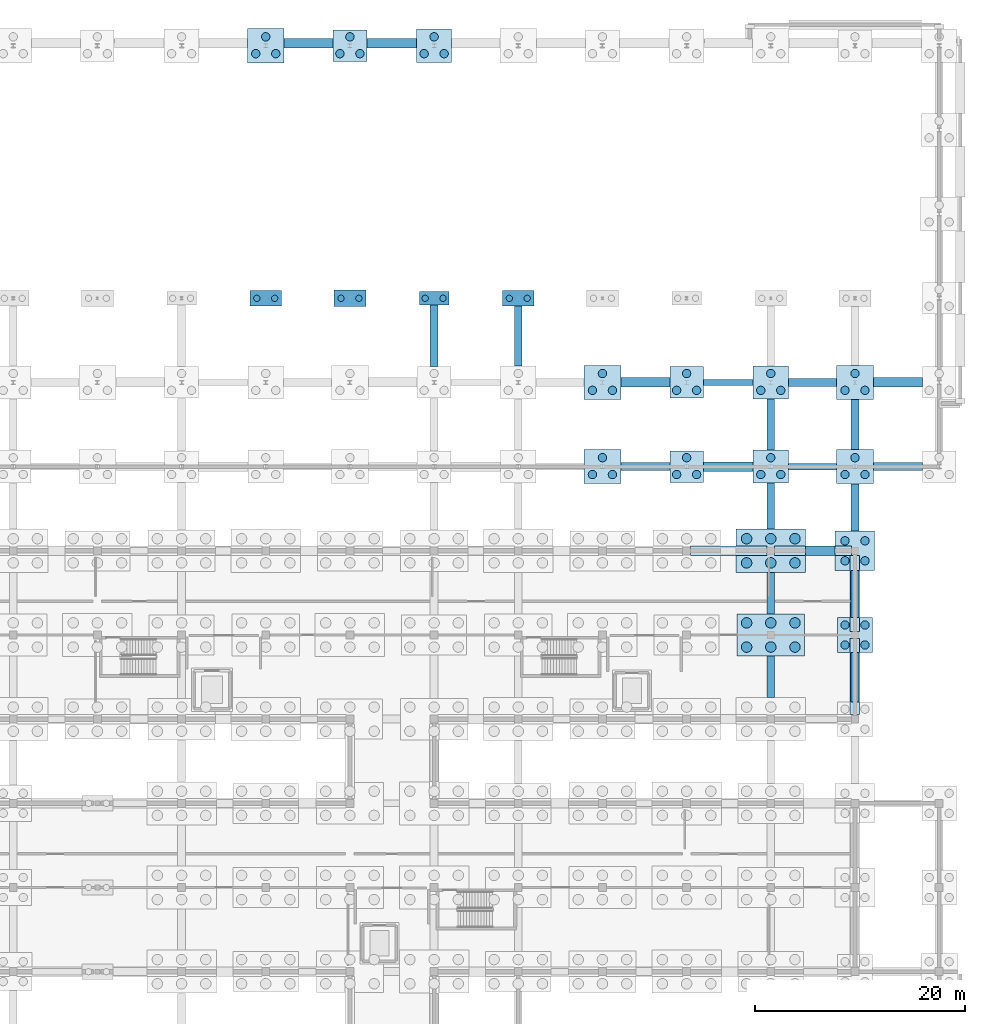
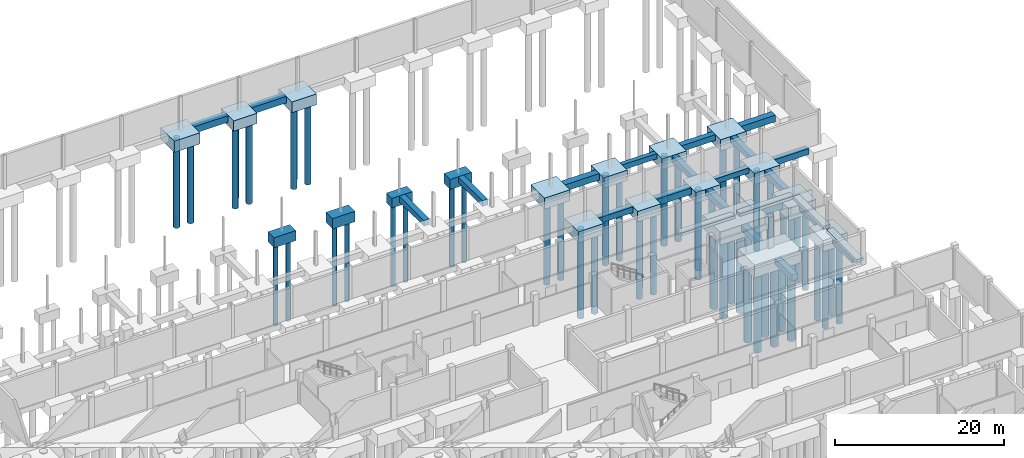
# One storey, part 16 of 51: 61 piles, 44 footings.
"""IFC4 building model written with IfcOpenShell, lengths in metres."""

from ifc_helpers import new_model, si_unit, direction, frame, origin, origin_2d, place, context, subcontext, project, spatial, rectangle, circle, extrude, material, material_profile, profile_set, type_object, element, save


model = new_model("IFC4")

# Units and contexts
model_context = context("Model", 3, precision=1e-05, world=origin(), true_north=direction((0.0, 1.0)))
body_context = subcontext(model_context, "Body", "Model", "MODEL_VIEW")
ifc_project = project(units=[si_unit("LENGTHUNIT", "METRE"), si_unit("AREAUNIT", "SQUARE_METRE"), si_unit("VOLUMEUNIT", "CUBIC_METRE"), si_unit("PLANEANGLEUNIT", "RADIAN"), si_unit("MASSUNIT", "GRAM", prefix="KILO")], contexts=[model_context])

# Site, building, storey
site_placement = place(None, origin())
site = spatial("IfcSite", under=ifc_project, at=site_placement, CompositionType="ELEMENT")
building_placement = place(site_placement, origin())
building = spatial("IfcBuilding", under=site, at=building_placement, Name="Jelvoka-Kovrelna Polytechnic", CompositionType="ELEMENT")
storey_placement = place(building_placement, frame((0.0, 0.0, -4.5)))
storey = spatial("IfcBuildingStorey", under=building, at=storey_placement, Name="B01", CompositionType="ELEMENT", Elevation=-4.5)

# Footings
ifc_material_1 = material(Name="Concrete C35/45", Category="concrete")
footing_type_1 = type_object("IfcFootingType", Name="Footing_PileCap_PC2A", PredefinedType="PILE_CAP", material=ifc_material_1)
footing_1_placement = place(storey_placement, frame((152.0, 96.0, -1.804931640625), z_axis=(0.0, 0.0, 1.0), x_axis=(1.0, 0.0, 0.0)))
element("IfcFooting", 1, at=footing_1_placement, inside=storey, type_object=footing_type_1, Name="Bored pile cap 258 (PC-2)", PredefinedType="PILE_CAP", context=body_context, shape_type="SweptSolid", body=[
    extrude(rectangle(XDim=2.800048828125, YDim=1.300048828125, at=origin_2d()), origin(), (0.0, 0.0, 1.0), 1.39990234375),
])
ifc_material_2 = material(Name="Concrete C35/45", Category="concrete")
footing_type_2 = type_object("IfcFootingType", Name="Footing_PileCap_PC2B", PredefinedType="PILE_CAP", material=ifc_material_2)
for number, where, z_axis, x_axis, name in (
    (2, (136.0, 96.0, -1.85498046875), (0.0, 0.0, 1.0), (1.0, 0.0, 0.0), "Bored pile cap 256 (PC-2)"),
    (3, (160.0, 96.0, -1.85498046875), (0.0, 0.0, 1.0), (1.0, 0.0, 0.0), "Bored pile cap 259 (PC-2)"),
):
    element("IfcFooting", number, at=place(storey_placement, frame(where, z_axis=z_axis, x_axis=x_axis)), inside=storey, type_object=footing_type_2, Name=name, PredefinedType="PILE_CAP", context=body_context, shape_type="SweptSolid", body=[
        extrude(rectangle(XDim=2.949951171875, YDim=1.449951171875, at=origin_2d()), origin(), (0.0, 0.0, 1.0), 1.449951171875),
    ])
ifc_material_3 = material(Name="Concrete C35/45", Category="concrete")
footing_type_3 = type_object("IfcFootingType", Name="Footing_PileCap_PC2C", PredefinedType="PILE_CAP", material=ifc_material_3)
footing_2_placement = place(storey_placement, frame((144.0, 96.0, -1.905029296875), z_axis=(0.0, 0.0, 1.0), x_axis=(1.0, 0.0, 0.0)))
element("IfcFooting", 4, at=footing_2_placement, inside=storey, type_object=footing_type_3, Name="Bored pile cap 257 (PC-2)", PredefinedType="PILE_CAP", context=body_context, shape_type="SweptSolid", body=[
    extrude(rectangle(XDim=3.050048828125, YDim=1.550048828125, at=origin_2d()), origin(), (0.0, 0.0, 1.0), 1.5),
])
ifc_material_4 = material(Name="Concrete C35/45", Category="concrete")
footing_type_4 = type_object("IfcFootingType", Name="Footing_PileCap_PC3A", PredefinedType="PILE_CAP", material=ifc_material_4)
for number, where, z_axis, x_axis, name in (
    (5, (176.0, 80.0, -1.905029296875), (0.0, 0.0, 1.0), (1.0, 0.0, 0.0), "Bored pile cap 231 (PC-3)"),
    (6, (176.0, 88.0, -1.905029296875), (0.0, 0.0, 1.0), (1.0, 0.0, 0.0), "Bored pile cap 246 (PC-3)"),
    (7, (144.0, 120.0, -1.905029296875), (0.0, 0.0, 1.0), (1.0, 0.0, 0.0), "Bored pile cap 276 (PC-3)"),
):
    element("IfcFooting", number, at=place(storey_placement, frame(where, z_axis=z_axis, x_axis=x_axis)), inside=storey, type_object=footing_type_4, Name=name, PredefinedType="PILE_CAP", context=body_context, shape_type="SweptSolid", body=[
        extrude(rectangle(XDim=3.199951171875, YDim=3.0, at=origin_2d()), origin(), (0.0, 0.0, 1.0), 1.5),
    ])
ifc_material_5 = material(Name="Concrete C35/45", Category="concrete")
footing_type_5 = type_object("IfcFootingType", Name="Footing_PileCap_PC3B", PredefinedType="PILE_CAP", material=ifc_material_5)
for number, where, z_axis, x_axis, name in (
    (8, (184.0, 80.0, -1.955078125), (0.0, 0.0, 1.0), (1.0, 0.0, 0.0), "Bored pile cap 232 (PC-3)"),
    (9, (184.0, 88.0, -1.955078125), (0.0, 0.0, 1.0), (1.0, 0.0, 0.0), "Bored pile cap 247 (PC-3)"),
    (10, (152.0, 120.0, -1.955078125), (0.0, 0.0, 1.0), (1.0, 0.0, 0.0), "Bored pile cap 277 (PC-3)"),
):
    element("IfcFooting", number, at=place(storey_placement, frame(where, z_axis=z_axis, x_axis=x_axis)), inside=storey, type_object=footing_type_5, Name=name, PredefinedType="PILE_CAP", context=body_context, shape_type="SweptSolid", body=[
        extrude(rectangle(XDim=3.35009765625, YDim=3.14990234375, at=origin_2d()), origin(), (0.0, 0.0, 1.0), 1.550048828125),
    ])
ifc_material_6 = material(Name="Concrete C35/45", Category="concrete")
footing_type_6 = type_object("IfcFootingType", Name="Footing_PileCap_PC3C", PredefinedType="PILE_CAP", material=ifc_material_6)
for number, where, z_axis, x_axis, name in (
    (11, (168.0, 80.0, -2.005126953125), (0.0, 0.0, 1.0), (1.0, 0.0, 0.0), "Bored pile cap 230 (PC-3)"),
    (12, (192.0, 80.0, -2.005126953125), (0.0, 0.0, 1.0), (1.0, 0.0, 0.0), "Bored pile cap 233 (PC-3)"),
    (13, (168.0, 88.0, -2.005126953125), (0.0, 0.0, 1.0), (1.0, 0.0, 0.0), "Bored pile cap 245 (PC-3)"),
    (14, (192.0, 88.0, -2.005126953125), (0.0, 0.0, 1.0), (1.0, 0.0, 0.0), "Bored pile cap 248 (PC-3)"),
    (15, (136.0, 120.0, -2.005126953125), (0.0, 0.0, 1.0), (1.0, 0.0, 0.0), "Bored pile cap 275 (PC-3)"),
):
    element("IfcFooting", number, at=place(storey_placement, frame(where, z_axis=z_axis, x_axis=x_axis)), inside=storey, type_object=footing_type_6, Name=name, PredefinedType="PILE_CAP", context=body_context, shape_type="SweptSolid", body=[
        extrude(rectangle(XDim=3.5, YDim=3.25, at=origin_2d()), origin(), (0.0, 0.0, 1.0), 1.60009765625),
    ])
ifc_material_7 = material(Name="Concrete C35/45", Category="concrete")
footing_type_7 = type_object("IfcFootingType", Name="Footing_PileCap_PC4A", PredefinedType="PILE_CAP", material=ifc_material_7)
footing_3_placement = place(storey_placement, frame((192.0, 64.0, -2.005126953125), z_axis=(0.0, 0.0, 1.0), x_axis=(1.0, 0.0, 0.0)))
element("IfcFooting", 16, at=footing_3_placement, inside=storey, type_object=footing_type_7, Name="Bored pile cap 200 (PC-4)", PredefinedType="PILE_CAP", context=body_context, shape_type="SweptSolid", body=[
    extrude(rectangle(XDim=3.300048828125, YDim=3.300048828125, at=origin_2d()), origin(), (0.0, 0.0, 1.0), 1.60009765625),
])
ifc_material_8 = material(Name="Concrete C35/45", Category="concrete")
footing_type_8 = type_object("IfcFootingType", Name="Footing_PileCap_PC4D", PredefinedType="PILE_CAP", material=ifc_material_8)
footing_4_placement = place(storey_placement, frame((192.0, 72.0, -2.155029296875), z_axis=(0.0, 0.0, 1.0), x_axis=(1.0, 0.0, 0.0)))
element("IfcFooting", 17, at=footing_4_placement, inside=storey, type_object=footing_type_8, Name="Bored pile cap 219 (PC-4)", PredefinedType="PILE_CAP", context=body_context, shape_type="SweptSolid", body=[
    extrude(rectangle(XDim=3.75, YDim=3.75, at=origin_2d()), origin(), (0.0, 0.0, 1.0), 1.75),
])
ifc_material_9 = material(Name="Concrete C35/45", Category="concrete")
footing_type_9 = type_object("IfcFootingType", Name="Footing_PileCap_PC6B", PredefinedType="PILE_CAP", material=ifc_material_9)
footing_5_placement = place(storey_placement, frame((184.0, 64.0, -2.255126953125), z_axis=(0.0, 0.0, 1.0), x_axis=(1.0, 0.0, 0.0)))
element("IfcFooting", 18, at=footing_5_placement, inside=storey, type_object=footing_type_9, Name="Bored pile cap 199 (PC-6)", PredefinedType="PILE_CAP", context=body_context, shape_type="SweptSolid", body=[
    extrude(rectangle(XDim=6.39990234375, YDim=3.949951171875, at=origin_2d()), origin(), (0.0, 0.0, 1.0), 1.85009765625),
])
ifc_material_10 = material(Name="Concrete C35/45", Category="concrete")
footing_type_10 = type_object("IfcFootingType", Name="Footing_PileCap_PC6C", PredefinedType="PILE_CAP", material=ifc_material_10)
footing_6_placement = place(storey_placement, frame((184.0, 72.0, -2.304931640625), z_axis=(0.0, 0.0, 1.0), x_axis=(1.0, 0.0, 0.0)))
element("IfcFooting", 19, at=footing_6_placement, inside=storey, type_object=footing_type_10, Name="Bored pile cap 218 (PC-6)", PredefinedType="PILE_CAP", context=body_context, shape_type="SweptSolid", body=[
    extrude(rectangle(XDim=6.60009765625, YDim=4.10009765625, at=origin_2d()), origin(), (0.0, 0.0, 1.0), 1.89990234375),
])
ifc_material_11 = material(Name="Concrete C35/45", Category="concrete")
footing_type_11 = type_object("IfcFootingType", Name="Footing_Strip_SF1", PredefinedType="STRIP_FOOTING", material=ifc_material_11)
footing_7_placement = place(storey_placement, frame((179.96240234375, 88.0, -1.155029296875), z_axis=(0.0, 0.0, 1.0), x_axis=(1.0, 0.0, 0.0)))
element("IfcFooting", 20, at=footing_7_placement, inside=storey, type_object=footing_type_11, Name="Strip foundation tie beam 249", PredefinedType="STRIP_FOOTING", context=body_context, shape_type="SweptSolid", body=[
    extrude(rectangle(XDim=4.720947265625, YDim=0.60009765625, at=origin_2d()), origin(), (0.0, 0.0, 1.0), 0.75),
])
footing_8_placement = place(storey_placement, frame((187.96240234375, 80.0, -1.155029296875), z_axis=(0.0, 0.0, 1.0), x_axis=(1.0, 0.0, 0.0)))
element("IfcFooting", 21, at=footing_8_placement, inside=storey, type_object=footing_type_11, Name="Strip foundation tie beam 267", PredefinedType="STRIP_FOOTING", context=body_context, shape_type="SweptSolid", body=[
    extrude(rectangle(XDim=4.571044921875, YDim=0.60009765625, at=origin_2d()), origin(), (0.0, 0.0, 1.0), 0.75),
])
ifc_material_12 = material(Name="Concrete C35/45", Category="concrete")
footing_type_12 = type_object("IfcFootingType", Name="Footing_Strip_SF2", PredefinedType="STRIP_FOOTING", material=ifc_material_12)
footing_9_placement = place(storey_placement, frame((152.0, 92.425048828125, -1.255126953125), z_axis=(0.0, 0.0, 1.0), x_axis=(0.0, 1.0, 0.0)))
element("IfcFooting", 22, at=footing_9_placement, inside=storey, type_object=footing_type_12, Name="Strip foundation tie beam 210", PredefinedType="STRIP_FOOTING", context=body_context, shape_type="SweptSolid", body=[
    extrude(rectangle(XDim=5.845947265625, YDim=0.75, at=origin_2d()), origin(), (0.0, 0.0, 1.0), 0.85009765625),
])
footing_10_placement = place(storey_placement, frame((160.0, 92.425048828125, -1.255126953125), z_axis=(0.0, 0.0, 1.0), x_axis=(0.0, 1.0, 0.0)))
element("IfcFooting", 23, at=footing_10_placement, inside=storey, type_object=footing_type_12, Name="Strip foundation tie beam 231", PredefinedType="STRIP_FOOTING", context=body_context, shape_type="SweptSolid", body=[
    extrude(rectangle(XDim=5.696044921875, YDim=0.75, at=origin_2d()), origin(), (0.0, 0.0, 1.0), 0.85009765625),
])
footing_11_placement = place(storey_placement, frame((172.074951171875, 80.0, -1.255126953125), z_axis=(0.0, 0.0, 1.0), x_axis=(1.0, 0.0, 0.0)))
element("IfcFooting", 24, at=footing_11_placement, inside=storey, type_object=footing_type_12, Name="Strip foundation tie beam 239", PredefinedType="STRIP_FOOTING", context=body_context, shape_type="SweptSolid", body=[
    extrude(rectangle(XDim=4.64599609375, YDim=0.75, at=origin_2d()), origin(), (0.0, 0.0, 1.0), 0.85009765625),
])
for number, where, z_axis, x_axis, name in (
    (25, (184.0, 60.03759765625, -1.255126953125), (0.0, 0.0, 1.0), (0.0, 1.0, 0.0), "Strip foundation tie beam 263"),
    (26, (184.0, 67.96240234375, -1.255126953125), (0.0, 0.0, 1.0), (0.0, 1.0, 0.0), "Strip foundation tie beam 264"),
):
    element("IfcFooting", number, at=place(storey_placement, frame(where, z_axis=z_axis, x_axis=x_axis)), inside=storey, type_object=footing_type_12, Name=name, PredefinedType="STRIP_FOOTING", context=body_context, shape_type="SweptSolid", body=[
        extrude(rectangle(XDim=3.970947265625, YDim=0.75, at=origin_2d()), origin(), (0.0, 0.0, 1.0), 0.85009765625),
    ])
footing_12_placement = place(storey_placement, frame((184.0, 76.237548828125, -1.255126953125), z_axis=(0.0, 0.0, 1.0), x_axis=(0.0, 1.0, 0.0)))
element("IfcFooting", 27, at=footing_12_placement, inside=storey, type_object=footing_type_12, Name="Strip foundation tie beam 266", PredefinedType="STRIP_FOOTING", context=body_context, shape_type="SweptSolid", body=[
    extrude(rectangle(XDim=4.37109375, YDim=0.75, at=origin_2d()), origin(), (0.0, 0.0, 1.0), 0.85009765625),
])
footing_13_placement = place(storey_placement, frame((184.0, 84.0, -1.255126953125), z_axis=(0.0, 0.0, 1.0), x_axis=(0.0, 1.0, 0.0)))
element("IfcFooting", 28, at=footing_13_placement, inside=storey, type_object=footing_type_12, Name="Strip foundation tie beam 268", PredefinedType="STRIP_FOOTING", context=body_context, shape_type="SweptSolid", body=[
    extrude(rectangle(XDim=4.845947265625, YDim=0.75, at=origin_2d()), origin(), (0.0, 0.0, 1.0), 0.85009765625),
])
footing_14_placement = place(storey_placement, frame((187.96240234375, 88.0, -1.255126953125), z_axis=(0.0, 0.0, 1.0), x_axis=(1.0, 0.0, 0.0)))
element("IfcFooting", 29, at=footing_14_placement, inside=storey, type_object=footing_type_12, Name="Strip foundation tie beam 269", PredefinedType="STRIP_FOOTING", context=body_context, shape_type="SweptSolid", body=[
    extrude(rectangle(XDim=4.571044921875, YDim=0.75, at=origin_2d()), origin(), (0.0, 0.0, 1.0), 0.85009765625),
])
footing_15_placement = place(storey_placement, frame((192.0, 60.0, -1.255126953125), z_axis=(0.0, 0.0, 1.0), x_axis=(0.0, 1.0, 0.0)))
element("IfcFooting", 30, at=footing_15_placement, inside=storey, type_object=footing_type_12, Name="Strip foundation tie beam 283", PredefinedType="STRIP_FOOTING", context=body_context, shape_type="SweptSolid", body=[
    extrude(rectangle(XDim=4.696044921875, YDim=0.75, at=origin_2d()), origin(), (0.0, 0.0, 1.0), 0.85009765625),
])
footing_16_placement = place(storey_placement, frame((192.0, 67.887451171875, -1.255126953125), z_axis=(0.0, 0.0, 1.0), x_axis=(0.0, 1.0, 0.0)))
element("IfcFooting", 31, at=footing_16_placement, inside=storey, type_object=footing_type_12, Name="Strip foundation tie beam 284", PredefinedType="STRIP_FOOTING", context=body_context, shape_type="SweptSolid", body=[
    extrude(rectangle(XDim=4.470947265625, YDim=0.75, at=origin_2d()), origin(), (0.0, 0.0, 1.0), 0.85009765625),
])
footing_17_placement = place(storey_placement, frame((192.0, 76.125, -1.255126953125), z_axis=(0.0, 0.0, 1.0), x_axis=(0.0, 1.0, 0.0)))
element("IfcFooting", 32, at=footing_17_placement, inside=storey, type_object=footing_type_12, Name="Strip foundation tie beam 285", PredefinedType="STRIP_FOOTING", context=body_context, shape_type="SweptSolid", body=[
    extrude(rectangle(XDim=4.49609375, YDim=0.75, at=origin_2d()), origin(), (0.0, 0.0, 1.0), 0.85009765625),
])
footing_18_placement = place(storey_placement, frame((196.074951171875, 80.0, -1.255126953125), z_axis=(0.0, 0.0, 1.0), x_axis=(1.0, 0.0, 0.0)))
element("IfcFooting", 33, at=footing_18_placement, inside=storey, type_object=footing_type_12, Name="Strip foundation tie beam 286", PredefinedType="STRIP_FOOTING", context=body_context, shape_type="SweptSolid", body=[
    extrude(rectangle(XDim=4.64599609375, YDim=0.75, at=origin_2d()), origin(), (0.0, 0.0, 1.0), 0.85009765625),
])
footing_19_placement = place(storey_placement, frame((192.0, 84.0, -1.255126953125), z_axis=(0.0, 0.0, 1.0), x_axis=(0.0, 1.0, 0.0)))
element("IfcFooting", 34, at=footing_19_placement, inside=storey, type_object=footing_type_12, Name="Strip foundation tie beam 287", PredefinedType="STRIP_FOOTING", context=body_context, shape_type="SweptSolid", body=[
    extrude(rectangle(XDim=4.74609375, YDim=0.75, at=origin_2d()), origin(), (0.0, 0.0, 1.0), 0.85009765625),
])
ifc_material_13 = material(Name="Concrete C35/45", Category="concrete")
footing_type_13 = type_object("IfcFootingType", Name="Footing_Strip_SF3", PredefinedType="STRIP_FOOTING", material=ifc_material_13)
footing_20_placement = place(storey_placement, frame((172.074951171875, 88.0, -1.35498046875), z_axis=(0.0, 0.0, 1.0), x_axis=(1.0, 0.0, 0.0)))
element("IfcFooting", 35, at=footing_20_placement, inside=storey, type_object=footing_type_13, Name="Strip foundation tie beam 240", PredefinedType="STRIP_FOOTING", context=body_context, shape_type="SweptSolid", body=[
    extrude(rectangle(XDim=4.64599609375, YDim=0.89990234375, at=origin_2d()), origin(), (0.0, 0.0, 1.0), 0.949951171875),
])
footing_21_placement = place(storey_placement, frame((179.96240234375, 80.0, -1.35498046875), z_axis=(0.0, 0.0, 1.0), x_axis=(1.0, 0.0, 0.0)))
element("IfcFooting", 36, at=footing_21_placement, inside=storey, type_object=footing_type_13, Name="Strip foundation tie beam 248", PredefinedType="STRIP_FOOTING", context=body_context, shape_type="SweptSolid", body=[
    extrude(rectangle(XDim=4.720947265625, YDim=0.89990234375, at=origin_2d()), origin(), (0.0, 0.0, 1.0), 0.949951171875),
])
footing_22_placement = place(storey_placement, frame((188.71240234375, 72.0, -1.35498046875), z_axis=(0.0, 0.0, 1.0), x_axis=(1.0, 0.0, 0.0)))
element("IfcFooting", 37, at=footing_22_placement, inside=storey, type_object=footing_type_13, Name="Strip foundation tie beam 265", PredefinedType="STRIP_FOOTING", context=body_context, shape_type="SweptSolid", body=[
    extrude(rectangle(XDim=2.821044921875, YDim=0.89990234375, at=origin_2d()), origin(), (0.0, 0.0, 1.0), 0.949951171875),
])
for number, where, z_axis, x_axis, name in (
    (38, (196.074951171875, 88.0, -1.35498046875), (0.0, 0.0, 1.0), (1.0, 0.0, 0.0), "Strip foundation tie beam 288"),
    (39, (140.074951171875, 120.22509765625, -1.35498046875), (0.0, 0.0, 1.0), (1.0, 0.0, 0.0), "Strip foundation tie beam 340"),
):
    element("IfcFooting", number, at=place(storey_placement, frame(where, z_axis=z_axis, x_axis=x_axis)), inside=storey, type_object=footing_type_13, Name=name, PredefinedType="STRIP_FOOTING", context=body_context, shape_type="SweptSolid", body=[
        extrude(rectangle(XDim=4.64599609375, YDim=0.89990234375, at=origin_2d()), origin(), (0.0, 0.0, 1.0), 0.949951171875),
    ])
footing_23_placement = place(storey_placement, frame((147.96240234375, 120.22509765625, -1.35498046875), z_axis=(0.0, 0.0, 1.0), x_axis=(1.0, 0.0, 0.0)))
element("IfcFooting", 40, at=footing_23_placement, inside=storey, type_object=footing_type_13, Name="Strip foundation tie beam 341", PredefinedType="STRIP_FOOTING", context=body_context, shape_type="SweptSolid", body=[
    extrude(rectangle(XDim=4.720947265625, YDim=0.89990234375, at=origin_2d()), origin(), (0.0, 0.0, 1.0), 0.949951171875),
])
for number, where, z_axis, x_axis, name in (
    (41, (180.0, 72.0, -0.40478515625), (0.0, 0.0, 1.0), (1.0, 0.0, 0.0), "Strip foundation plinth beam B01W-100"),
    (42, (188.0, 72.0, -0.40478515625), (0.0, 0.0, 1.0), (1.0, 0.0, 0.0), "Strip foundation plinth beam B01W-102"),
):
    element("IfcFooting", number, at=place(storey_placement, frame(where, z_axis=z_axis, x_axis=x_axis)), inside=storey, type_object=footing_type_13, Name=name, PredefinedType="STRIP_FOOTING", context=body_context, shape_type="SweptSolid", body=[
        extrude(rectangle(XDim=7.300048828125, YDim=0.89990234375, at=origin_2d()), origin(), (0.0, 0.0, 1.0), 0.405029296875),
    ])
for number, where, z_axis, x_axis, name in (
    (43, (192.0, 60.051025390625, -0.40478515625), (0.0, 0.0, 1.0), (0.0, 1.0, 0.0), "Strip foundation plinth beam B01W-104"),
    (44, (192.0, 67.948974609375, -0.40478515625), (0.0, 0.0, 1.0), (0.0, 1.0, 0.0), "Strip foundation plinth beam B01W-106"),
):
    element("IfcFooting", number, at=place(storey_placement, frame(where, z_axis=z_axis, x_axis=x_axis)), inside=storey, type_object=footing_type_13, Name=name, PredefinedType="STRIP_FOOTING", context=body_context, shape_type="SweptSolid", body=[
        extrude(rectangle(XDim=7.197998046875, YDim=0.89990234375, at=origin_2d()), origin(), (0.0, 0.0, 1.0), 0.405029296875),
    ])

# Piles
ifc_material_14 = material(Name="Concrete C35/45", Category="concrete")
ifc_material_profile_1 = material_profile(ifc_material_14, circle(Radius=0.5, at=origin_2d()), Name="PILE D1000")
ifc_profile_set_1 = profile_set([ifc_material_profile_1], Name="Concrete C35/45")
pile_type_1 = type_object("IfcPileType", Name="Pile_Bored_1000", PredefinedType="BORED", material=ifc_profile_set_1)
for number, where, z_axis, x_axis, name in (
    (45, (181.699951171875, 62.85009765625, -2.155029296875), (0.0, 0.0, -1.0), (1.0, 0.0, 0.0), "Bored concrete pile 199-1"),
    (46, (184.0, 62.85009765625, -2.155029296875), (0.0, 0.0, -1.0), (1.0, 0.0, 0.0), "Bored concrete pile 199-2"),
    (47, (186.300048828125, 62.85009765625, -2.155029296875), (0.0, 0.0, -1.0), (1.0, 0.0, 0.0), "Bored concrete pile 199-3"),
    (48, (181.699951171875, 65.14990234375, -2.155029296875), (0.0, 0.0, -1.0), (1.0, 0.0, 0.0), "Bored concrete pile 199-4"),
    (49, (184.0, 65.14990234375, -2.155029296875), (0.0, 0.0, -1.0), (1.0, 0.0, 0.0), "Bored concrete pile 199-5"),
    (50, (186.300048828125, 65.14990234375, -2.155029296875), (0.0, 0.0, -1.0), (1.0, 0.0, 0.0), "Bored concrete pile 199-6"),
):
    element("IfcPile", number, at=place(storey_placement, frame(where, z_axis=z_axis, x_axis=x_axis)), inside=storey, type_object=pile_type_1, Name=name, PredefinedType="BORED", context=body_context, shape_type="SweptSolid", body=[
        extrude(circle(Radius=0.5, at=origin_2d()), origin(), (0.0, 0.0, 1.0), 11.344970703125),
    ])
for number, where, z_axis, x_axis, name in (
    (51, (181.699951171875, 70.85009765625, -2.205078125), (0.0, 0.0, -1.0), (1.0, 0.0, 0.0), "Bored concrete pile 218-1"),
    (52, (184.0, 70.85009765625, -2.205078125), (0.0, 0.0, -1.0), (1.0, 0.0, 0.0), "Bored concrete pile 218-2"),
    (53, (186.300048828125, 70.85009765625, -2.205078125), (0.0, 0.0, -1.0), (1.0, 0.0, 0.0), "Bored concrete pile 218-3"),
    (54, (181.699951171875, 73.14990234375, -2.205078125), (0.0, 0.0, -1.0), (1.0, 0.0, 0.0), "Bored concrete pile 218-4"),
    (55, (184.0, 73.14990234375, -2.205078125), (0.0, 0.0, -1.0), (1.0, 0.0, 0.0), "Bored concrete pile 218-5"),
    (56, (186.300048828125, 73.14990234375, -2.205078125), (0.0, 0.0, -1.0), (1.0, 0.0, 0.0), "Bored concrete pile 218-6"),
):
    element("IfcPile", number, at=place(storey_placement, frame(where, z_axis=z_axis, x_axis=x_axis)), inside=storey, type_object=pile_type_1, Name=name, PredefinedType="BORED", context=body_context, shape_type="SweptSolid", body=[
        extrude(circle(Radius=0.5, at=origin_2d()), origin(), (0.0, 0.0, 1.0), 11.294921875),
    ])
ifc_material_15 = material(Name="Concrete C35/45", Category="concrete")
ifc_material_profile_2 = material_profile(ifc_material_15, circle(Radius=0.300048828125, at=origin_2d()), Name="PILE D600")
ifc_profile_set_2 = profile_set([ifc_material_profile_2], Name="Concrete C35/45")
pile_type_2 = type_object("IfcPileType", Name="Pile_Bored_600", PredefinedType="BORED", material=ifc_profile_set_2)
for number, where, z_axis, x_axis, name in (
    (57, (135.14990234375, 96.0, -1.7548828125), (0.0, 0.0, -1.0), (1.0, 0.0, 0.0), "Bored concrete pile 256-1"),
    (58, (136.85009765625, 96.0, -1.7548828125), (0.0, 0.0, -1.0), (1.0, 0.0, 0.0), "Bored concrete pile 256-2"),
):
    element("IfcPile", number, at=place(storey_placement, frame(where, z_axis=z_axis, x_axis=x_axis)), inside=storey, type_object=pile_type_2, Name=name, PredefinedType="BORED", context=body_context, shape_type="SweptSolid", body=[
        extrude(circle(Radius=0.300048828125, at=origin_2d()), origin(), (0.0, 0.0, 1.0), 11.7451171875),
    ])
for number, where, z_axis, x_axis, name in (
    (59, (143.14990234375, 96.0, -1.804931640625), (0.0, 0.0, -1.0), (1.0, 0.0, 0.0), "Bored concrete pile 257-1"),
    (60, (144.85009765625, 96.0, -1.804931640625), (0.0, 0.0, -1.0), (1.0, 0.0, 0.0), "Bored concrete pile 257-2"),
):
    element("IfcPile", number, at=place(storey_placement, frame(where, z_axis=z_axis, x_axis=x_axis)), inside=storey, type_object=pile_type_2, Name=name, PredefinedType="BORED", context=body_context, shape_type="SweptSolid", body=[
        extrude(circle(Radius=0.300048828125, at=origin_2d()), origin(), (0.0, 0.0, 1.0), 11.695068359375),
    ])
for number, where, z_axis, x_axis, name in (
    (61, (151.14990234375, 96.0, -1.705078125), (0.0, 0.0, -1.0), (1.0, 0.0, 0.0), "Bored concrete pile 258-1"),
    (62, (152.85009765625, 96.0, -1.705078125), (0.0, 0.0, -1.0), (1.0, 0.0, 0.0), "Bored concrete pile 258-2"),
):
    element("IfcPile", number, at=place(storey_placement, frame(where, z_axis=z_axis, x_axis=x_axis)), inside=storey, type_object=pile_type_2, Name=name, PredefinedType="BORED", context=body_context, shape_type="SweptSolid", body=[
        extrude(circle(Radius=0.300048828125, at=origin_2d()), origin(), (0.0, 0.0, 1.0), 11.794921875),
    ])
for number, where, z_axis, x_axis, name in (
    (63, (159.14990234375, 96.0, -1.7548828125), (0.0, 0.0, -1.0), (1.0, 0.0, 0.0), "Bored concrete pile 259-1"),
    (64, (160.85009765625, 96.0, -1.7548828125), (0.0, 0.0, -1.0), (1.0, 0.0, 0.0), "Bored concrete pile 259-2"),
):
    element("IfcPile", number, at=place(storey_placement, frame(where, z_axis=z_axis, x_axis=x_axis)), inside=storey, type_object=pile_type_2, Name=name, PredefinedType="BORED", context=body_context, shape_type="SweptSolid", body=[
        extrude(circle(Radius=0.300048828125, at=origin_2d()), origin(), (0.0, 0.0, 1.0), 11.7451171875),
    ])
ifc_material_16 = material(Name="Concrete C35/45", Category="concrete")
ifc_material_profile_3 = material_profile(ifc_material_16, circle(Radius=0.39990234375, at=origin_2d()), Name="PILE D800")
ifc_profile_set_3 = profile_set([ifc_material_profile_3], Name="Concrete C35/45")
pile_type_3 = type_object("IfcPileType", Name="Pile_Bored_800", PredefinedType="BORED", material=ifc_profile_set_3)
for number, where, z_axis, x_axis, name in (
    (65, (191.050048828125, 63.050048828125, -1.905029296875), (0.0, 0.0, -1.0), (1.0, 0.0, 0.0), "Bored concrete pile 200-1"),
    (66, (192.949951171875, 63.050048828125, -1.905029296875), (0.0, 0.0, -1.0), (1.0, 0.0, 0.0), "Bored concrete pile 200-2"),
    (67, (191.050048828125, 64.949951171875, -1.905029296875), (0.0, 0.0, -1.0), (1.0, 0.0, 0.0), "Bored concrete pile 200-3"),
    (68, (192.949951171875, 64.949951171875, -1.905029296875), (0.0, 0.0, -1.0), (1.0, 0.0, 0.0), "Bored concrete pile 200-4"),
):
    element("IfcPile", number, at=place(storey_placement, frame(where, z_axis=z_axis, x_axis=x_axis)), inside=storey, type_object=pile_type_3, Name=name, PredefinedType="BORED", context=body_context, shape_type="SweptSolid", body=[
        extrude(circle(Radius=0.39990234375, at=origin_2d()), origin(), (0.0, 0.0, 1.0), 11.594970703125),
    ])
for number, where, z_axis, x_axis, name in (
    (69, (191.050048828125, 71.050048828125, -2.054931640625), (0.0, 0.0, -1.0), (1.0, 0.0, 0.0), "Bored concrete pile 219-1"),
    (70, (192.949951171875, 71.050048828125, -2.054931640625), (0.0, 0.0, -1.0), (1.0, 0.0, 0.0), "Bored concrete pile 219-2"),
    (71, (191.050048828125, 72.949951171875, -2.054931640625), (0.0, 0.0, -1.0), (1.0, 0.0, 0.0), "Bored concrete pile 219-3"),
    (72, (192.949951171875, 72.949951171875, -2.054931640625), (0.0, 0.0, -1.0), (1.0, 0.0, 0.0), "Bored concrete pile 219-4"),
):
    element("IfcPile", number, at=place(storey_placement, frame(where, z_axis=z_axis, x_axis=x_axis)), inside=storey, type_object=pile_type_3, Name=name, PredefinedType="BORED", context=body_context, shape_type="SweptSolid", body=[
        extrude(circle(Radius=0.39990234375, at=origin_2d()), origin(), (0.0, 0.0, 1.0), 11.445068359375),
    ])
for number, where, z_axis, x_axis, name in (
    (73, (167.050048828125, 79.25, -1.905029296875), (0.0, 0.0, -1.0), (1.0, 0.0, 0.0), "Bored concrete pile 230-1"),
    (74, (168.949951171875, 79.25, -1.905029296875), (0.0, 0.0, -1.0), (1.0, 0.0, 0.0), "Bored concrete pile 230-2"),
    (75, (168.0, 80.85009765625, -1.905029296875), (0.0, 0.0, -1.0), (1.0, 0.0, 0.0), "Bored concrete pile 230-3"),
):
    element("IfcPile", number, at=place(storey_placement, frame(where, z_axis=z_axis, x_axis=x_axis)), inside=storey, type_object=pile_type_3, Name=name, PredefinedType="BORED", context=body_context, shape_type="SweptSolid", body=[
        extrude(circle(Radius=0.39990234375, at=origin_2d()), origin(), (0.0, 0.0, 1.0), 11.594970703125),
    ])
for number, where, z_axis, x_axis, name in (
    (76, (175.050048828125, 79.25, -1.804931640625), (0.0, 0.0, -1.0), (1.0, 0.0, 0.0), "Bored concrete pile 231-1"),
    (77, (176.949951171875, 79.25, -1.804931640625), (0.0, 0.0, -1.0), (1.0, 0.0, 0.0), "Bored concrete pile 231-2"),
    (78, (176.0, 80.85009765625, -1.804931640625), (0.0, 0.0, -1.0), (1.0, 0.0, 0.0), "Bored concrete pile 231-3"),
):
    element("IfcPile", number, at=place(storey_placement, frame(where, z_axis=z_axis, x_axis=x_axis)), inside=storey, type_object=pile_type_3, Name=name, PredefinedType="BORED", context=body_context, shape_type="SweptSolid", body=[
        extrude(circle(Radius=0.39990234375, at=origin_2d()), origin(), (0.0, 0.0, 1.0), 11.695068359375),
    ])
for number, where, z_axis, x_axis, name in (
    (79, (183.050048828125, 79.25, -1.85498046875), (0.0, 0.0, -1.0), (1.0, 0.0, 0.0), "Bored concrete pile 232-1"),
    (80, (184.949951171875, 79.25, -1.85498046875), (0.0, 0.0, -1.0), (1.0, 0.0, 0.0), "Bored concrete pile 232-2"),
    (81, (184.0, 80.85009765625, -1.85498046875), (0.0, 0.0, -1.0), (1.0, 0.0, 0.0), "Bored concrete pile 232-3"),
):
    element("IfcPile", number, at=place(storey_placement, frame(where, z_axis=z_axis, x_axis=x_axis)), inside=storey, type_object=pile_type_3, Name=name, PredefinedType="BORED", context=body_context, shape_type="SweptSolid", body=[
        extrude(circle(Radius=0.39990234375, at=origin_2d()), origin(), (0.0, 0.0, 1.0), 11.64501953125),
    ])
for number, where, z_axis, x_axis, name in (
    (82, (191.050048828125, 79.25, -1.905029296875), (0.0, 0.0, -1.0), (1.0, 0.0, 0.0), "Bored concrete pile 233-1"),
    (83, (192.949951171875, 79.25, -1.905029296875), (0.0, 0.0, -1.0), (1.0, 0.0, 0.0), "Bored concrete pile 233-2"),
    (84, (192.0, 80.85009765625, -1.905029296875), (0.0, 0.0, -1.0), (1.0, 0.0, 0.0), "Bored concrete pile 233-3"),
    (85, (167.050048828125, 87.25, -1.905029296875), (0.0, 0.0, -1.0), (1.0, 0.0, 0.0), "Bored concrete pile 245-1"),
    (86, (168.949951171875, 87.25, -1.905029296875), (0.0, 0.0, -1.0), (1.0, 0.0, 0.0), "Bored concrete pile 245-2"),
    (87, (168.0, 88.85009765625, -1.905029296875), (0.0, 0.0, -1.0), (1.0, 0.0, 0.0), "Bored concrete pile 245-3"),
):
    element("IfcPile", number, at=place(storey_placement, frame(where, z_axis=z_axis, x_axis=x_axis)), inside=storey, type_object=pile_type_3, Name=name, PredefinedType="BORED", context=body_context, shape_type="SweptSolid", body=[
        extrude(circle(Radius=0.39990234375, at=origin_2d()), origin(), (0.0, 0.0, 1.0), 11.594970703125),
    ])
for number, where, z_axis, x_axis, name in (
    (88, (175.050048828125, 87.25, -1.804931640625), (0.0, 0.0, -1.0), (1.0, 0.0, 0.0), "Bored concrete pile 246-1"),
    (89, (176.949951171875, 87.25, -1.804931640625), (0.0, 0.0, -1.0), (1.0, 0.0, 0.0), "Bored concrete pile 246-2"),
    (90, (176.0, 88.85009765625, -1.804931640625), (0.0, 0.0, -1.0), (1.0, 0.0, 0.0), "Bored concrete pile 246-3"),
):
    element("IfcPile", number, at=place(storey_placement, frame(where, z_axis=z_axis, x_axis=x_axis)), inside=storey, type_object=pile_type_3, Name=name, PredefinedType="BORED", context=body_context, shape_type="SweptSolid", body=[
        extrude(circle(Radius=0.39990234375, at=origin_2d()), origin(), (0.0, 0.0, 1.0), 11.695068359375),
    ])
for number, where, z_axis, x_axis, name in (
    (91, (183.050048828125, 87.25, -1.85498046875), (0.0, 0.0, -1.0), (1.0, 0.0, 0.0), "Bored concrete pile 247-1"),
    (92, (184.949951171875, 87.25, -1.85498046875), (0.0, 0.0, -1.0), (1.0, 0.0, 0.0), "Bored concrete pile 247-2"),
    (93, (184.0, 88.85009765625, -1.85498046875), (0.0, 0.0, -1.0), (1.0, 0.0, 0.0), "Bored concrete pile 247-3"),
):
    element("IfcPile", number, at=place(storey_placement, frame(where, z_axis=z_axis, x_axis=x_axis)), inside=storey, type_object=pile_type_3, Name=name, PredefinedType="BORED", context=body_context, shape_type="SweptSolid", body=[
        extrude(circle(Radius=0.39990234375, at=origin_2d()), origin(), (0.0, 0.0, 1.0), 11.64501953125),
    ])
for number, where, z_axis, x_axis, name in (
    (94, (191.050048828125, 87.25, -1.905029296875), (0.0, 0.0, -1.0), (1.0, 0.0, 0.0), "Bored concrete pile 248-1"),
    (95, (192.949951171875, 87.25, -1.905029296875), (0.0, 0.0, -1.0), (1.0, 0.0, 0.0), "Bored concrete pile 248-2"),
    (96, (192.0, 88.85009765625, -1.905029296875), (0.0, 0.0, -1.0), (1.0, 0.0, 0.0), "Bored concrete pile 248-3"),
    (97, (135.050048828125, 119.25, -1.905029296875), (0.0, 0.0, -1.0), (1.0, 0.0, 0.0), "Bored concrete pile 275-1"),
    (98, (136.949951171875, 119.25, -1.905029296875), (0.0, 0.0, -1.0), (1.0, 0.0, 0.0), "Bored concrete pile 275-2"),
    (99, (136.0, 120.85009765625, -1.905029296875), (0.0, 0.0, -1.0), (1.0, 0.0, 0.0), "Bored concrete pile 275-3"),
):
    element("IfcPile", number, at=place(storey_placement, frame(where, z_axis=z_axis, x_axis=x_axis)), inside=storey, type_object=pile_type_3, Name=name, PredefinedType="BORED", context=body_context, shape_type="SweptSolid", body=[
        extrude(circle(Radius=0.39990234375, at=origin_2d()), origin(), (0.0, 0.0, 1.0), 11.594970703125),
    ])
for number, where, z_axis, x_axis, name in (
    (100, (143.050048828125, 119.25, -1.804931640625), (0.0, 0.0, -1.0), (1.0, 0.0, 0.0), "Bored concrete pile 276-1"),
    (101, (144.949951171875, 119.25, -1.804931640625), (0.0, 0.0, -1.0), (1.0, 0.0, 0.0), "Bored concrete pile 276-2"),
    (102, (144.0, 120.85009765625, -1.804931640625), (0.0, 0.0, -1.0), (1.0, 0.0, 0.0), "Bored concrete pile 276-3"),
):
    element("IfcPile", number, at=place(storey_placement, frame(where, z_axis=z_axis, x_axis=x_axis)), inside=storey, type_object=pile_type_3, Name=name, PredefinedType="BORED", context=body_context, shape_type="SweptSolid", body=[
        extrude(circle(Radius=0.39990234375, at=origin_2d()), origin(), (0.0, 0.0, 1.0), 11.695068359375),
    ])
for number, where, z_axis, x_axis, name in (
    (103, (151.050048828125, 119.25, -1.85498046875), (0.0, 0.0, -1.0), (1.0, 0.0, 0.0), "Bored concrete pile 277-1"),
    (104, (152.949951171875, 119.25, -1.85498046875), (0.0, 0.0, -1.0), (1.0, 0.0, 0.0), "Bored concrete pile 277-2"),
    (105, (152.0, 120.85009765625, -1.85498046875), (0.0, 0.0, -1.0), (1.0, 0.0, 0.0), "Bored concrete pile 277-3"),
):
    element("IfcPile", number, at=place(storey_placement, frame(where, z_axis=z_axis, x_axis=x_axis)), inside=storey, type_object=pile_type_3, Name=name, PredefinedType="BORED", context=body_context, shape_type="SweptSolid", body=[
        extrude(circle(Radius=0.39990234375, at=origin_2d()), origin(), (0.0, 0.0, 1.0), 11.64501953125),
    ])

save(model, "model.ifc")
